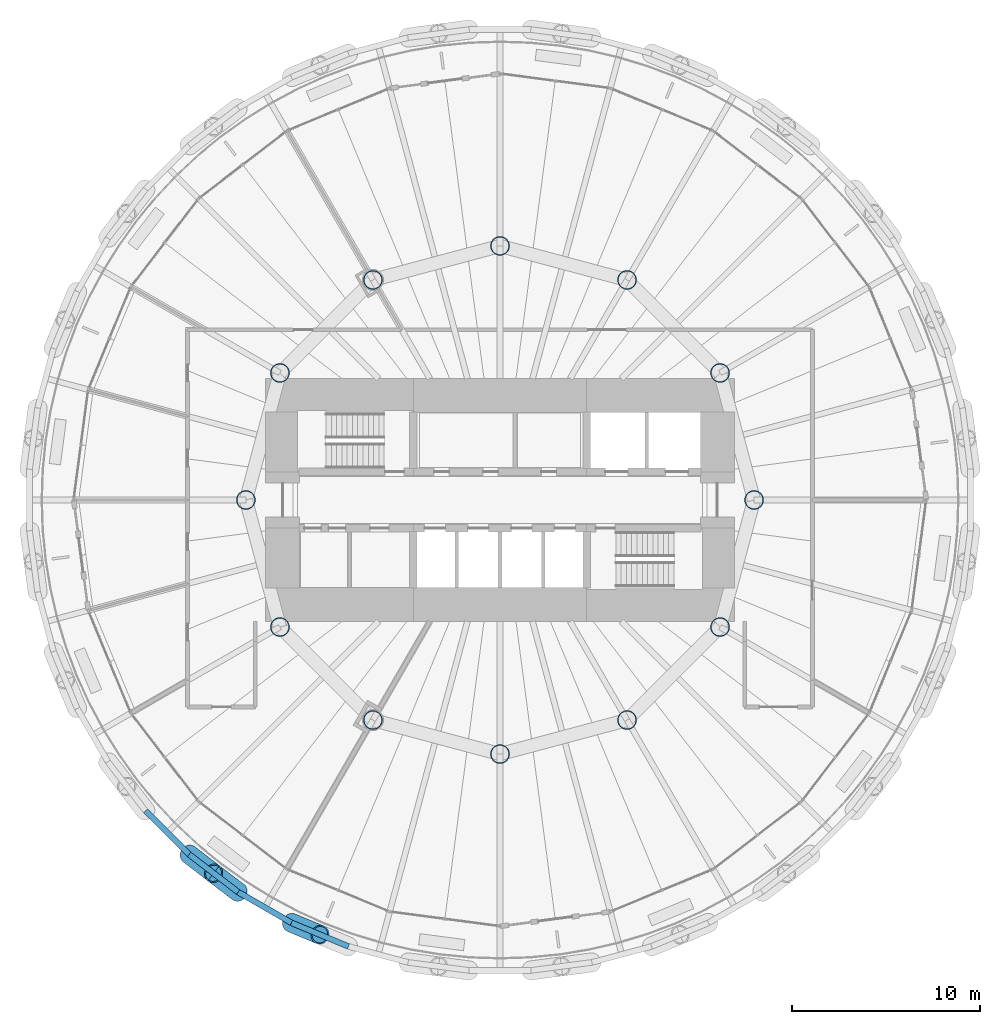
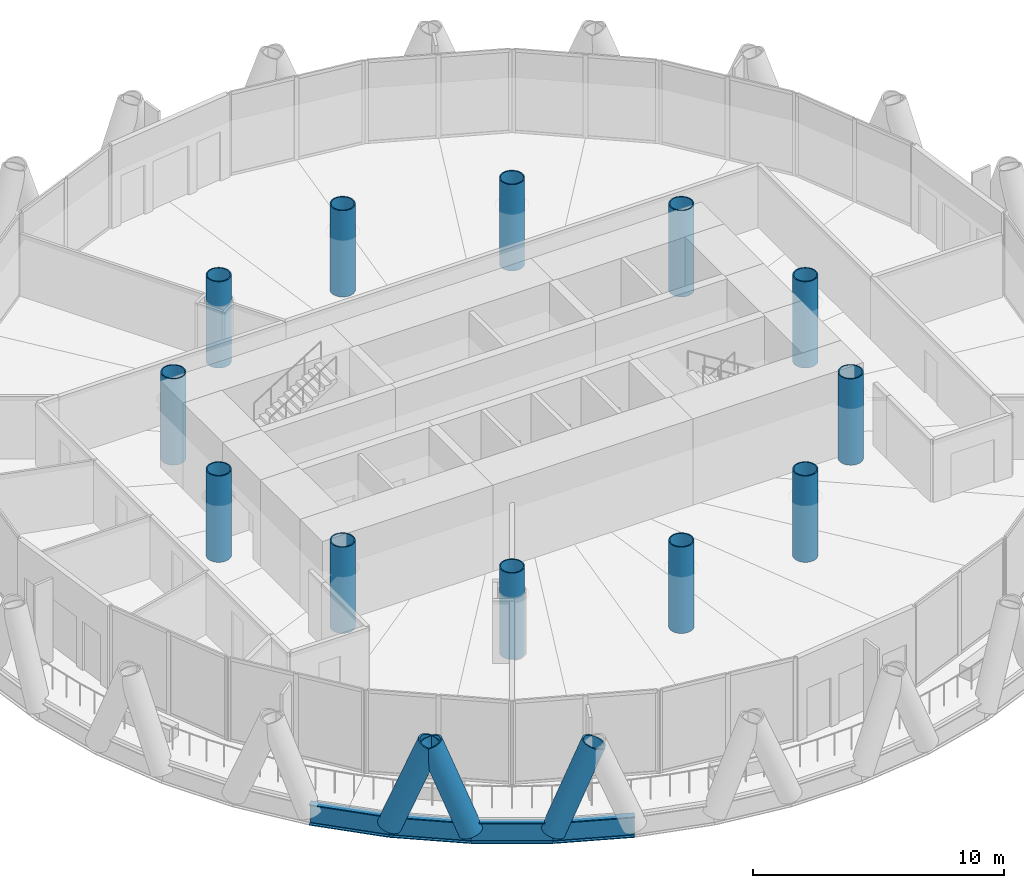
# One storey, part 1 of 15: 12 columns, 4 beams, 3 members.
"""IFC4 building model written with IfcOpenShell, lengths in metres."""

from ifc_helpers import new_model, si_unit, direction, frame, origin, origin_2d, place, context, subcontext, project, spatial, hollow_circle, i_section, extrude, material, material_profile, profile_set, type_object, element, save


model = new_model("IFC4")

# Units and contexts
model_context = context("Model", 3, precision=1e-05, world=origin(), true_north=direction((0.0, 1.0)))
body_context = subcontext(model_context, "Body", "Model", "MODEL_VIEW")
ifc_project = project(units=[si_unit("LENGTHUNIT", "METRE"), si_unit("AREAUNIT", "SQUARE_METRE"), si_unit("VOLUMEUNIT", "CUBIC_METRE"), si_unit("PLANEANGLEUNIT", "RADIAN"), si_unit("MASSUNIT", "GRAM", prefix="KILO")], contexts=[model_context])

# Site, building, storey
site_placement = place(None, origin())
site = spatial("IfcSite", under=ifc_project, at=site_placement, CompositionType="ELEMENT")
building_placement = place(site_placement, origin())
building = spatial("IfcBuilding", under=site, at=building_placement, Name="Qaws Media Tower", CompositionType="ELEMENT")
storey_placement = place(building_placement, frame((0.0, 0.0, 131.0)))
storey = spatial("IfcBuildingStorey", under=building, at=storey_placement, Name="L29", CompositionType="ELEMENT", Elevation=131.0)

# Columns
ifc_material_1 = material(Name="Steel S460", Category="steel")
ifc_material_profile_1 = material_profile(ifc_material_1, hollow_circle(Radius=0.508056640625, WallThickness=0.050048828125, at=origin_2d()), Name="CHS 1016x50")
ifc_profile_set_1 = profile_set([ifc_material_profile_1], Name="Steel S460")
column_type = type_object("IfcColumnType", Name="Inner column CHS 1016x50", PredefinedType="COLUMN", material=ifc_profile_set_1)
for number, where, z_axis, x_axis, name in (
    (1, (73.5, 50.0, 0.0), (0.0, 0.0, 1.0), (1.0, 0.0, 0.0), "C2 inner column I01 L29"),
    (2, (71.69140625, 56.75, 0.0), (0.0, 0.0, 1.0), (1.0, 0.0, 0.0), "C2 inner column I02 L29"),
    (3, (66.75, 61.69140625, 0.0), (0.0, 0.0, 1.0), (1.0, 0.0, 0.0), "C2 inner column I03 L29"),
    (4, (60.0, 63.5, 0.0), (0.0, 0.0, 1.0), (1.0, 0.0, 0.0), "C2 inner column I04 L29"),
    (5, (53.25, 61.69140625, 0.0), (0.0, 0.0, 1.0), (1.0, 0.0, 0.0), "C2 inner column I05 L29"),
    (6, (48.30859375, 56.75, 0.0), (0.0, 0.0, 1.0), (1.0, 0.0, 0.0), "C2 inner column I06 L29"),
    (7, (46.5, 50.0, 0.0), (0.0, 0.0, 1.0), (1.0, 0.0, 0.0), "C2 inner column I07 L29"),
    (8, (48.30859375, 43.25, 0.0), (0.0, 0.0, 1.0), (1.0, 0.0, 0.0), "C2 inner column I08 L29"),
    (9, (53.25, 38.30859375, 0.0), (0.0, 0.0, 1.0), (1.0, 0.0, 0.0), "C2 inner column I09 L29"),
    (10, (60.0, 36.5, 0.0), (0.0, 0.0, 1.0), (1.0, 0.0, 0.0), "C2 inner column I10 L29"),
    (11, (66.75, 38.30859375, 0.0), (0.0, 0.0, 1.0), (1.0, 0.0, 0.0), "C2 inner column I11 L29"),
    (12, (71.69140625, 43.25, 0.0), (0.0, 0.0, 1.0), (1.0, 0.0, 0.0), "C2 inner column I12 L29"),
):
    element("IfcColumn", number, at=place(storey_placement, frame(where, z_axis=z_axis, x_axis=x_axis)), inside=storey, type_object=column_type, Name=name, PredefinedType="COLUMN", context=body_context, shape_type="SweptSolid", body=[
        extrude(hollow_circle(Radius=0.508056640625, WallThickness=0.050048828125, at=origin_2d()), origin(), (0.0, 0.0, 1.0), 4.199951171875),
    ])

# Members
ifc_material_2 = material(Name="Steel S460", Category="steel")
ifc_material_profile_2 = material_profile(ifc_material_2, hollow_circle(Radius=0.508056640625, WallThickness=0.070068359375, at=origin_2d()), Name="CHS 1016x70")
ifc_profile_set_2 = profile_set([ifc_material_profile_2], Name="Steel S460")
member_type = type_object("IfcMemberType", Name="Diagrid member CHS 1016x70", PredefinedType="USERDEFINED", material=ifc_profile_set_2)
for number, where, z_axis, x_axis, name in (
    (13, (43.4833984375, 31.16650390625, -0.6640625), (0.28783273825, -0.221872197293, 0.93162494753), (0.610509807701, 0.792008696102, 0.0), "DG3 diagrid L29 A16"),
    (14, (48.920654296875, 27.533447265625, -0.6640625), (0.335435922045, -0.139828148324, 0.931628054074), (0.38476351553, 0.923015187913, 0.0), "DG3 diagrid L29 A17"),
    (15, (46.0830078125, 29.171630859375, -0.6640625), (-0.288805944508, 0.220625429951, 0.931619850624), (-0.607057342765, -0.794658028711, 0.0), "DG3 diagrid L29 B17"),
):
    element("IfcMember", number, at=place(storey_placement, frame(where, z_axis=z_axis, x_axis=x_axis)), inside=storey, type_object=member_type, Name=name, ObjectType="DIAGRID", PredefinedType="USERDEFINED", context=body_context, shape_type="SweptSolid", body=[
        extrude(hollow_circle(Radius=0.508056640625, WallThickness=0.070068359375, at=origin_2d()), origin(), (0.0, 0.0, 1.0), 4.50830078125),
    ])

# Beams
ifc_material_3 = material(Name="Steel S460", Category="steel")
ifc_material_profile_3 = material_profile(ifc_material_3, i_section(OverallWidth=0.302001953125, OverallDepth=1.008056640625, WebThickness=0.02099609375, FlangeThickness=0.0400390625, FilletRadius=0.030029296875, at=origin_2d()), Name="HE 1000 M")
ifc_profile_set_3 = profile_set([ifc_material_profile_3], Name="Steel S460")
beam_type = type_object("IfcBeamType", Name="Edge ring beam HE 1000 M", PredefinedType="BEAM", material=ifc_profile_set_3)
beam_1_placement = place(storey_placement, frame((41.16650390625, 33.4833984375, -0.6640625), z_axis=(0.707106781187, -0.707106781187, 0.0), x_axis=(0.707106781187, 0.707106781187, 0.0)))
element("IfcBeam", 16, at=beam_1_placement, inside=storey, type_object=beam_type, Name="RB3 edge ring beam L29-30", PredefinedType="BEAM", context=body_context, shape_type="SweptSolid", body=[
    extrude(i_section(OverallWidth=0.302001953125, OverallDepth=1.008056640625, WebThickness=0.02099609375, FlangeThickness=0.0400390625, FilletRadius=0.030029296875, at=origin_2d()), origin(), (0.0, 0.0, 1.0), 3.276611328125),
])
beam_2_placement = place(storey_placement, frame((43.4833984375, 31.16650390625, -0.6640625), z_axis=(0.793335267914, -0.608784980665, 0.0), x_axis=(0.608784980665, 0.793335267914, 0.0)))
element("IfcBeam", 17, at=beam_2_placement, inside=storey, type_object=beam_type, Name="RB3 edge ring beam L29-31", PredefinedType="BEAM", context=body_context, shape_type="SweptSolid", body=[
    extrude(i_section(OverallWidth=0.302001953125, OverallDepth=1.008056640625, WebThickness=0.02099609375, FlangeThickness=0.0400390625, FilletRadius=0.030029296875, at=origin_2d()), origin(), (0.0, 0.0, 1.0), 3.27685546875),
])
beam_3_placement = place(storey_placement, frame((46.0830078125, 29.171630859375, -0.6640625), z_axis=(0.866042896256, -0.499969700927, 0.0), x_axis=(0.499969700927, 0.866042896256, 0.0)))
element("IfcBeam", 18, at=beam_3_placement, inside=storey, type_object=beam_type, Name="RB3 edge ring beam L29-32", PredefinedType="BEAM", context=body_context, shape_type="SweptSolid", body=[
    extrude(i_section(OverallWidth=0.302001953125, OverallDepth=1.008056640625, WebThickness=0.02099609375, FlangeThickness=0.0400390625, FilletRadius=0.030029296875, at=origin_2d()), origin(), (0.0, 0.0, 1.0), 3.276611328125),
])
beam_4_placement = place(storey_placement, frame((48.920654296875, 27.533447265625, -0.6640625), z_axis=(0.923859727087, -0.382731243391, 0.0), x_axis=(0.382731243391, 0.923859727087, 0.0)))
element("IfcBeam", 19, at=beam_4_placement, inside=storey, type_object=beam_type, Name="RB3 edge ring beam L29-33", PredefinedType="BEAM", context=body_context, shape_type="SweptSolid", body=[
    extrude(i_section(OverallWidth=0.302001953125, OverallDepth=1.008056640625, WebThickness=0.02099609375, FlangeThickness=0.0400390625, FilletRadius=0.030029296875, at=origin_2d()), origin(), (0.0, 0.0, 1.0), 3.27685546875),
])

save(model, "model.ifc")
